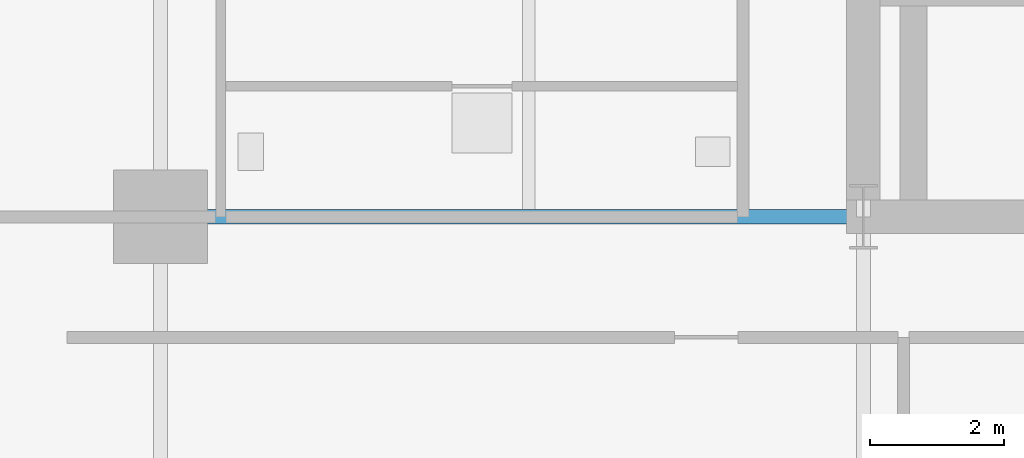
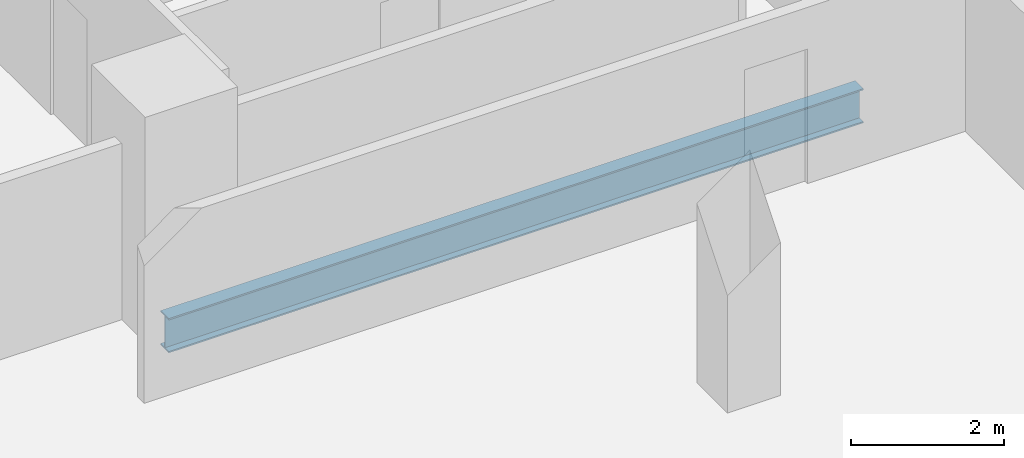
# One storey, part 5 of 23: 1 beam.
"""IFC4 building model written with IfcOpenShell, lengths in metres."""

from ifc_helpers import new_model, si_unit, direction, frame, origin, origin_2d, place, context, subcontext, project, spatial, i_section, extrude, material, material_profile, profile_set, type_object, element, save


model = new_model("IFC4")

# Units and contexts
model_context = context("Model", 3, precision=1e-05, world=origin(), true_north=direction((0.0, 1.0)))
body_context = subcontext(model_context, "Body", "Model", "MODEL_VIEW")
ifc_project = project(units=[si_unit("LENGTHUNIT", "METRE"), si_unit("AREAUNIT", "SQUARE_METRE"), si_unit("VOLUMEUNIT", "CUBIC_METRE"), si_unit("PLANEANGLEUNIT", "RADIAN"), si_unit("MASSUNIT", "GRAM", prefix="KILO")], contexts=[model_context])

# Site, building, storey
site_placement = place(None, origin())
site = spatial("IfcSite", under=ifc_project, at=site_placement, CompositionType="ELEMENT")
building_placement = place(site_placement, origin())
building = spatial("IfcBuilding", under=site, at=building_placement, Name="Barlavira Tower and Art Museum", CompositionType="ELEMENT")
storey_placement = place(building_placement, frame((0.0, 0.0, 57.60009765625)))
storey = spatial("IfcBuildingStorey", under=building, at=storey_placement, Name="L13", CompositionType="ELEMENT", Elevation=57.60009765625)

# Beam
ifc_material = material(Name="Steel S355", Category="steel")
ifc_material_profile = material_profile(ifc_material, i_section(OverallWidth=0.214111328125, OverallDepth=0.549072265625, WebThickness=0.0146484375, FlangeThickness=0.023681640625, at=origin_2d()), Name="W530x138.0")
ifc_profile_set = profile_set([ifc_material_profile], Name="Steel S355")
beam_type = type_object("IfcBeamType", Name="Zone 1 Primary Floor Girder W530x138 Steel S355", PredefinedType="BEAM", material=ifc_profile_set)
beam_placement = place(storey_placement, frame((-17.0, -7.5, -0.49462890625), z_axis=(1.0, 0.0, 0.0), x_axis=(0.0, 1.0, 0.0)))
element("IfcBeam", 1, at=beam_placement, inside=storey, type_object=beam_type, Name="L13 Girder R-W1", PredefinedType="BEAM", context=body_context, shape_type="SweptSolid", body=[
    extrude(i_section(OverallWidth=0.214111328125, OverallDepth=0.549072265625, WebThickness=0.0146484375, FlangeThickness=0.023681640625, at=origin_2d()), origin(), (0.0, 0.0, 1.0), 10.5),
])

save(model, "model.ifc")
